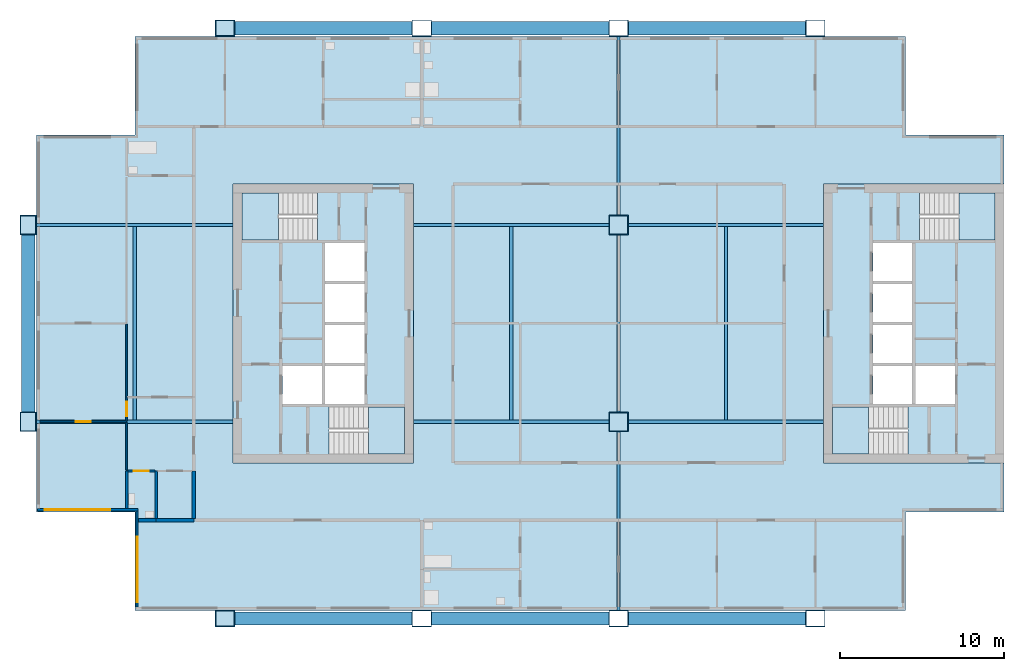
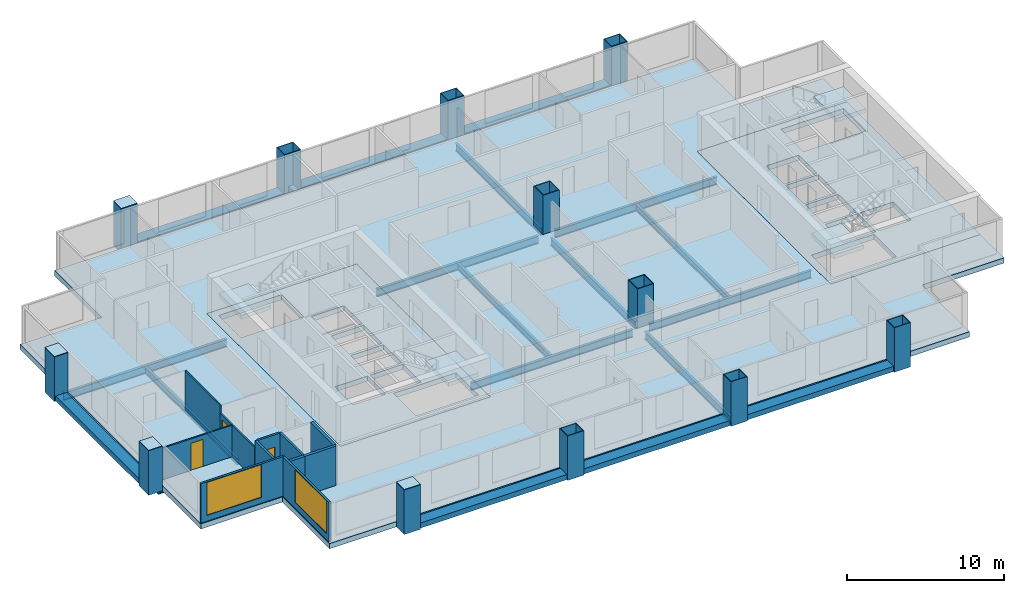
# One storey, part 1 of 9: 19 beams, 12 columns, 12 walls, 7 slabs, 4 plates, 3 doors, 2 windows, 5 openings, 4 elements without a shape of their own.
"""IFC4 building model written with IfcOpenShell, lengths in metres."""

from ifc_helpers import new_model, si_unit, direction, frame, frame_2d, origin, origin_2d, place, context, subcontext, project, spatial, polyline, rectangle, hollow_rectangle, i_section, outline, extrude, material, layer, layer_set, material_profile, profile_set, type_object, element, fill, aggregate, save


model = new_model("IFC4")

# Units and contexts
model_context = context("Model", 3, precision=1e-05, world=origin(), true_north=direction((0.0, 1.0)))
body_context = subcontext(model_context, "Body", "Model", "MODEL_VIEW")
ifc_project = project(units=[si_unit("LENGTHUNIT", "METRE"), si_unit("AREAUNIT", "SQUARE_METRE"), si_unit("VOLUMEUNIT", "CUBIC_METRE"), si_unit("PLANEANGLEUNIT", "RADIAN"), si_unit("MASSUNIT", "GRAM", prefix="KILO")], contexts=[model_context])

# Site, building, storey
site_placement = place(None, origin())
site = spatial("IfcSite", under=ifc_project, at=site_placement, CompositionType="ELEMENT")
building_placement = place(site_placement, origin())
building = spatial("IfcBuilding", under=site, at=building_placement, Name="Kitamizu Gate Tower and Museum", CompositionType="ELEMENT")
storey_placement = place(building_placement, frame((0.0, 0.0, 210.0)))
storey = spatial("IfcBuildingStorey", under=building, at=storey_placement, Name="L56", CompositionType="ELEMENT", Elevation=210.0)

# Columns
ifc_material_1 = material(Name="Steel SM490A bronze coated", Category="steel")
ifc_material_profile_1 = material_profile(ifc_material_1, hollow_rectangle(XDim=1.199951171875, YDim=1.0, WallThickness=0.044921875, at=origin_2d()), Name="BOX 1200x1000x45")
ifc_profile_set_1 = profile_set([ifc_material_profile_1], Name="Steel SM490A bronze coated")
column_type_1 = type_object("IfcColumnType", Name="Exoskeleton column XC7 BOX 1200x1000x45", PredefinedType="COLUMN", material=ifc_profile_set_1)
for number, where, z_axis, x_axis, name in (
    (1, (0.0, 24.0, -0.39990234375), (0.0, 0.0, 1.0), (0.0, 1.0, 0.0), "Column XC7 1C L56"),
    (2, (0.0, 36.0, -0.39990234375), (0.0, 0.0, 1.0), (0.0, 1.0, 0.0), "Column XC7 1D L56"),
    (3, (12.0, 12.0, -0.39990234375), (0.0, 0.0, 1.0), (1.0, 0.0, 0.0), "Column XC7 2B L56"),
    (4, (12.0, 48.0, -0.39990234375), (0.0, 0.0, 1.0), (1.0, 0.0, 0.0), "Column XC7 2E L56"),
    (5, (24.0, 12.0, -0.39990234375), (0.0, 0.0, 1.0), (1.0, 0.0, 0.0), "Column XC7 3B L56"),
    (6, (24.0, 48.0, -0.39990234375), (0.0, 0.0, 1.0), (1.0, 0.0, 0.0), "Column XC7 3E L56"),
    (7, (36.0, 12.0, -0.39990234375), (0.0, 0.0, 1.0), (1.0, 0.0, 0.0), "Column XC7 4B L56"),
    (8, (36.0, 48.0, -0.39990234375), (0.0, 0.0, 1.0), (1.0, 0.0, 0.0), "Column XC7 4E L56"),
    (9, (48.0, 12.0, -0.39990234375), (0.0, 0.0, 1.0), (1.0, 0.0, 0.0), "Column XC7 5B L56"),
    (10, (48.0, 48.0, -0.39990234375), (0.0, 0.0, 1.0), (1.0, 0.0, 0.0), "Column XC7 5E L56"),
):
    element("IfcColumn", number, at=place(storey_placement, frame(where, z_axis=z_axis, x_axis=x_axis)), inside=storey, type_object=column_type_1, Name=name, PredefinedType="COLUMN", context=body_context, shape_type="SweptSolid", body=[
        extrude(hollow_rectangle(XDim=1.199951171875, YDim=1.0, WallThickness=0.044921875, at=origin_2d()), origin(), (0.0, 0.0, 1.0), 3.449951171875),
    ])
ifc_material_2 = material(Name="Steel SM490A", Category="steel")
ifc_material_profile_2 = material_profile(ifc_material_2, hollow_rectangle(XDim=1.199951171875, YDim=1.199951171875, WallThickness=0.050048828125, at=origin_2d()), Name="BOX 1200x1200x50")
ifc_profile_set_2 = profile_set([ifc_material_profile_2], Name="Steel SM490A")
column_type_2 = type_object("IfcColumnType", Name="Interior column IC4 BOX 1200x1200x50", PredefinedType="COLUMN", material=ifc_profile_set_2)
for number, where, z_axis, x_axis, name in (
    (11, (36.0, 24.0, 0.0), (0.0, 0.0, 1.0), (1.0, 0.0, 0.0), "Column IC4 4C L56"),
    (12, (36.0, 36.0, 0.0), (0.0, 0.0, 1.0), (1.0, 0.0, 0.0), "Column IC4 4D L56"),
):
    element("IfcColumn", number, at=place(storey_placement, frame(where, z_axis=z_axis, x_axis=x_axis)), inside=storey, type_object=column_type_2, Name=name, PredefinedType="COLUMN", context=body_context, shape_type="SweptSolid", body=[
        extrude(hollow_rectangle(XDim=1.199951171875, YDim=1.199951171875, WallThickness=0.050048828125, at=origin_2d()), origin(), (0.0, 0.0, 1.0), 3.050048828125),
    ])

# Beams
ifc_material_3 = material(Name="Steel SM490A bronze coated", Category="steel")
ifc_material_profile_3 = material_profile(ifc_material_3, hollow_rectangle(XDim=0.800048828125, YDim=0.39990234375, WallThickness=0.0400390625, at=origin_2d()), Name="BOX 800x400x40")
ifc_profile_set_3 = profile_set([ifc_material_profile_3], Name="Steel SM490A bronze coated")
beam_type_1 = type_object("IfcBeamType", Name="Exoskeleton spandrel beam SB1 BOX 800x400x40", PredefinedType="SPANDREL", material=ifc_profile_set_3)
for number, where, z_axis, x_axis, name in (
    (13, (12.60009765625, 12.0, -0.199951171875), (1.0, 0.0, 0.0), (0.0, 1.0, 0.0), "Exoskeleton spandrel beam south 12 L56"),
    (14, (24.60009765625, 12.0, -0.199951171875), (1.0, 0.0, 0.0), (0.0, 1.0, 0.0), "Exoskeleton spandrel beam south 24 L56"),
    (15, (36.60009765625, 12.0, -0.199951171875), (1.0, 0.0, 0.0), (0.0, 1.0, 0.0), "Exoskeleton spandrel beam south 36 L56"),
    (16, (12.60009765625, 48.0, -0.199951171875), (1.0, 0.0, 0.0), (0.0, 1.0, 0.0), "Exoskeleton spandrel beam north 12 L56"),
    (17, (24.60009765625, 48.0, -0.199951171875), (1.0, 0.0, 0.0), (0.0, 1.0, 0.0), "Exoskeleton spandrel beam north 24 L56"),
    (18, (36.60009765625, 48.0, -0.199951171875), (1.0, 0.0, 0.0), (0.0, 1.0, 0.0), "Exoskeleton spandrel beam north 36 L56"),
    (19, (0.0, 24.60009765625, -0.199951171875), (0.0, 1.0, 0.0), (-1.0, 0.0, 0.0), "Exoskeleton spandrel beam west 24 L56"),
):
    element("IfcBeam", number, at=place(storey_placement, frame(where, z_axis=z_axis, x_axis=x_axis)), inside=storey, type_object=beam_type_1, Name=name, PredefinedType="SPANDREL", context=body_context, shape_type="SweptSolid", body=[
        extrude(hollow_rectangle(XDim=0.800048828125, YDim=0.39990234375, WallThickness=0.0400390625, at=origin_2d()), origin(), (0.0, 0.0, 1.0), 10.7998046875),
    ])
ifc_material_4 = material(Name="Steel SM490A", Category="steel")
ifc_material_profile_4 = material_profile(ifc_material_4, i_section(OverallWidth=0.199951171875, OverallDepth=0.5, WebThickness=0.010009765625, FlangeThickness=0.01611328125, FilletRadius=0.02001953125, at=origin_2d()), Name="H-500x200x10x16")
ifc_profile_set_4 = profile_set([ifc_material_profile_4], Name="Steel SM490A")
beam_type_2 = type_object("IfcBeamType", Name="Floor beam FB1 H 500x200x10x16", PredefinedType="BEAM", material=ifc_profile_set_4)
for number, where, z_axis, x_axis, name in (
    (20, (6.5, 24.10009765625, -0.64990234375), (0.0, 1.0, 0.0), (-1.0, 0.0, 0.0), "Floor beam FB1 L56-1"),
    (21, (29.449951171875, 24.10009765625, -0.64990234375), (0.0, 1.0, 0.0), (-1.0, 0.0, 0.0), "Floor beam FB1 L56-2"),
    (22, (42.550048828125, 24.10009765625, -0.64990234375), (0.0, 1.0, 0.0), (-1.0, 0.0, 0.0), "Floor beam FB1 L56-3"),
):
    element("IfcBeam", number, at=place(storey_placement, frame(where, z_axis=z_axis, x_axis=x_axis)), inside=storey, type_object=beam_type_2, Name=name, PredefinedType="BEAM", context=body_context, shape_type="SweptSolid", body=[
        extrude(i_section(OverallWidth=0.199951171875, OverallDepth=0.5, WebThickness=0.010009765625, FlangeThickness=0.01611328125, FilletRadius=0.02001953125, at=origin_2d()), origin(), (0.0, 0.0, 1.0), 11.7998046875),
    ])
ifc_material_5 = material(Name="Steel SM490A", Category="steel")
ifc_material_profile_5 = material_profile(ifc_material_5, i_section(OverallWidth=0.199951171875, OverallDepth=0.60009765625, WebThickness=0.010986328125, FlangeThickness=0.01708984375, FilletRadius=0.02197265625, at=origin_2d()), Name="H-600x200x11x17")
ifc_profile_set_5 = profile_set([ifc_material_profile_5], Name="Steel SM490A")
beam_type_3 = type_object("IfcBeamType", Name="Floor girder FG1 H 600x200x11x17", PredefinedType="BEAM", material=ifc_profile_set_5)
beam_1_placement = place(storey_placement, frame((36.0, 12.5, -0.699951171875), z_axis=(0.0, 1.0, 0.0), x_axis=(-1.0, 0.0, 0.0)))
element("IfcBeam", 23, at=beam_1_placement, inside=storey, type_object=beam_type_3, Name="Floor girder FG1 x36 L56", PredefinedType="BEAM", context=body_context, shape_type="SweptSolid", body=[
    extrude(i_section(OverallWidth=0.199951171875, OverallDepth=0.60009765625, WebThickness=0.010986328125, FlangeThickness=0.01708984375, FilletRadius=0.02197265625, at=origin_2d()), origin(), (0.0, 0.0, 1.0), 10.89990234375),
])
beam_2_placement = place(storey_placement, frame((36.0, 24.60009765625, -0.699951171875), z_axis=(0.0, 1.0, 0.0), x_axis=(-1.0, 0.0, 0.0)))
element("IfcBeam", 24, at=beam_2_placement, inside=storey, type_object=beam_type_3, Name="Floor girder FG1 x36 L56", PredefinedType="BEAM", context=body_context, shape_type="SweptSolid", body=[
    extrude(i_section(OverallWidth=0.199951171875, OverallDepth=0.60009765625, WebThickness=0.010986328125, FlangeThickness=0.01708984375, FilletRadius=0.02197265625, at=origin_2d()), origin(), (0.0, 0.0, 1.0), 10.7998046875),
])
beam_3_placement = place(storey_placement, frame((36.0, 36.60009765625, -0.699951171875), z_axis=(0.0, 1.0, 0.0), x_axis=(-1.0, 0.0, 0.0)))
element("IfcBeam", 25, at=beam_3_placement, inside=storey, type_object=beam_type_3, Name="Floor girder FG1 x36 L56", PredefinedType="BEAM", context=body_context, shape_type="SweptSolid", body=[
    extrude(i_section(OverallWidth=0.199951171875, OverallDepth=0.60009765625, WebThickness=0.010986328125, FlangeThickness=0.01708984375, FilletRadius=0.02197265625, at=origin_2d()), origin(), (0.0, 0.0, 1.0), 10.89990234375),
])
beam_4_placement = place(storey_placement, frame((0.5, 24.0, -0.699951171875), z_axis=(1.0, 0.0, 0.0), x_axis=(0.0, 1.0, 0.0)))
element("IfcBeam", 26, at=beam_4_placement, inside=storey, type_object=beam_type_3, Name="Floor girder FG1 y24 L56", PredefinedType="BEAM", context=body_context, shape_type="SweptSolid", body=[
    extrude(i_section(OverallWidth=0.199951171875, OverallDepth=0.60009765625, WebThickness=0.010986328125, FlangeThickness=0.01708984375, FilletRadius=0.02197265625, at=origin_2d()), origin(), (0.0, 0.0, 1.0), 12.0),
])
for number, where, z_axis, x_axis, name in (
    (27, (23.5, 24.0, -0.699951171875), (1.0, 0.0, 0.0), (0.0, 1.0, 0.0), "Floor girder FG1 y24 L56"),
    (28, (36.60009765625, 24.0, -0.699951171875), (1.0, 0.0, 0.0), (0.0, 1.0, 0.0), "Floor girder FG1 y24 L56"),
):
    element("IfcBeam", number, at=place(storey_placement, frame(where, z_axis=z_axis, x_axis=x_axis)), inside=storey, type_object=beam_type_3, Name=name, PredefinedType="BEAM", context=body_context, shape_type="SweptSolid", body=[
        extrude(i_section(OverallWidth=0.199951171875, OverallDepth=0.60009765625, WebThickness=0.010986328125, FlangeThickness=0.01708984375, FilletRadius=0.02197265625, at=origin_2d()), origin(), (0.0, 0.0, 1.0), 11.89990234375),
    ])
beam_5_placement = place(storey_placement, frame((0.5, 36.0, -0.699951171875), z_axis=(1.0, 0.0, 0.0), x_axis=(0.0, 1.0, 0.0)))
element("IfcBeam", 29, at=beam_5_placement, inside=storey, type_object=beam_type_3, Name="Floor girder FG1 y36 L56", PredefinedType="BEAM", context=body_context, shape_type="SweptSolid", body=[
    extrude(i_section(OverallWidth=0.199951171875, OverallDepth=0.60009765625, WebThickness=0.010986328125, FlangeThickness=0.01708984375, FilletRadius=0.02197265625, at=origin_2d()), origin(), (0.0, 0.0, 1.0), 12.0),
])
for number, where, z_axis, x_axis, name in (
    (30, (23.5, 36.0, -0.699951171875), (1.0, 0.0, 0.0), (0.0, 1.0, 0.0), "Floor girder FG1 y36 L56"),
    (31, (36.60009765625, 36.0, -0.699951171875), (1.0, 0.0, 0.0), (0.0, 1.0, 0.0), "Floor girder FG1 y36 L56"),
):
    element("IfcBeam", number, at=place(storey_placement, frame(where, z_axis=z_axis, x_axis=x_axis)), inside=storey, type_object=beam_type_3, Name=name, PredefinedType="BEAM", context=body_context, shape_type="SweptSolid", body=[
        extrude(i_section(OverallWidth=0.199951171875, OverallDepth=0.60009765625, WebThickness=0.010986328125, FlangeThickness=0.01708984375, FilletRadius=0.02197265625, at=origin_2d()), origin(), (0.0, 0.0, 1.0), 11.89990234375),
    ])

# Slabs
ifc_material_6 = material(Name="Concrete Fc36", Category="concrete")
ifc_layer_1 = layer(ifc_material_6, 0.39990234375)
ifc_layer_set_1 = layer_set([ifc_layer_1], Name="Concrete Fc36")
slab_type_1 = type_object("IfcSlabType", Name="Core floor slab 400", PredefinedType="FLOOR", material=ifc_layer_set_1)
slab_1_placement = place(storey_placement, frame((0.0, 0.0, -0.39990234375)))
element("IfcSlab", 32, at=slab_1_placement, inside=storey, type_object=slab_type_1, Name="Core floor slab W", PredefinedType="FLOOR", context=body_context, shape_type="SweptSolid", body=[
    extrude(outline(polyline([(12.5, 21.5), (23.5, 21.5), (23.5, 38.5), (12.5, 38.5), (12.5, 21.5)]), holes=[polyline([(15.5, 25.10009765625), (17.89990234375, 25.10009765625), (17.89990234375, 27.39990234375), (15.5, 27.39990234375), (15.5, 25.10009765625)]), polyline([(18.10009765625, 25.10009765625), (20.5, 25.10009765625), (20.5, 27.39990234375), (18.10009765625, 27.39990234375), (18.10009765625, 25.10009765625)]), polyline([(18.10009765625, 27.60009765625), (20.5, 27.60009765625), (20.5, 29.89990234375), (18.10009765625, 29.89990234375), (18.10009765625, 27.60009765625)]), polyline([(18.10009765625, 30.10009765625), (20.5, 30.10009765625), (20.5, 32.39990234375), (18.10009765625, 32.39990234375), (18.10009765625, 30.10009765625)]), polyline([(18.10009765625, 32.60009765625), (20.5, 32.60009765625), (20.5, 34.89990234375), (18.10009765625, 34.89990234375), (18.10009765625, 32.60009765625)]), polyline([(18.3505859375, 22.050048828125), (22.949951171875, 22.050048828125), (22.949951171875, 24.89990234375), (18.3505859375, 24.89990234375), (18.3505859375, 22.050048828125)]), polyline([(13.050048828125, 35.10009765625), (17.6494140625, 35.10009765625), (17.6494140625, 37.949951171875), (13.050048828125, 37.949951171875), (13.050048828125, 35.10009765625)])]), origin(), (0.0, 0.0, 1.0), 0.39990234375),
])
slab_2_placement = place(storey_placement, frame((0.0, 0.0, -0.39990234375)))
element("IfcSlab", 33, at=slab_2_placement, inside=storey, type_object=slab_type_1, Name="Core floor slab E", PredefinedType="FLOOR", context=body_context, shape_type="SweptSolid", body=[
    extrude(outline(polyline([(48.5, 21.5), (59.5, 21.5), (59.5, 38.5), (48.5, 38.5), (48.5, 21.5)]), holes=[polyline([(54.10009765625, 25.10009765625), (56.5, 25.10009765625), (56.5, 27.39990234375), (54.10009765625, 27.39990234375), (54.10009765625, 25.10009765625)]), polyline([(51.5, 25.10009765625), (53.89990234375, 25.10009765625), (53.89990234375, 27.39990234375), (51.5, 27.39990234375), (51.5, 25.10009765625)]), polyline([(51.5, 27.60009765625), (53.89990234375, 27.60009765625), (53.89990234375, 29.89990234375), (51.5, 29.89990234375), (51.5, 27.60009765625)]), polyline([(51.5, 30.10009765625), (53.89990234375, 30.10009765625), (53.89990234375, 32.39990234375), (51.5, 32.39990234375), (51.5, 30.10009765625)]), polyline([(51.5, 32.60009765625), (53.89990234375, 32.60009765625), (53.89990234375, 34.89990234375), (51.5, 34.89990234375), (51.5, 32.60009765625)]), polyline([(49.050048828125, 22.050048828125), (53.6494140625, 22.050048828125), (53.6494140625, 24.89990234375), (49.050048828125, 24.89990234375), (49.050048828125, 22.050048828125)]), polyline([(54.3505859375, 35.10009765625), (58.949951171875, 35.10009765625), (58.949951171875, 37.949951171875), (54.3505859375, 37.949951171875), (54.3505859375, 35.10009765625)])]), origin(), (0.0, 0.0, 1.0), 0.39990234375),
])

# Plates
ifc_material_7 = material(Name="Steel SM490A bronze coated", Category="steel")
ifc_layer_2 = layer(ifc_material_7, 0.044921875)
ifc_layer_set_2 = layer_set([ifc_layer_2], Name="Steel SM490A bronze coated")
plate_type = type_object("IfcPlateType", Name="Exoskeleton column cap plate XC7 45", PredefinedType="USERDEFINED", material=ifc_layer_set_2)
for number, where, z_axis, x_axis, name in (
    (34, (0.0, 24.0, 3.050048828125), (0.0, 0.0, 1.0), (0.0, 1.0, 0.0), "Exoskeleton column cap plate XC7 1C L56"),
    (35, (0.0, 36.0, 3.050048828125), (0.0, 0.0, 1.0), (0.0, 1.0, 0.0), "Exoskeleton column cap plate XC7 1D L56"),
    (36, (12.0, 12.0, 3.050048828125), (0.0, 0.0, 1.0), (1.0, 0.0, 0.0), "Exoskeleton column cap plate XC7 2B L56"),
    (37, (12.0, 48.0, 3.050048828125), (0.0, 0.0, 1.0), (1.0, 0.0, 0.0), "Exoskeleton column cap plate XC7 2E L56"),
):
    element("IfcPlate", number, at=place(storey_placement, frame(where, z_axis=z_axis, x_axis=x_axis)), inside=storey, type_object=plate_type, Name=name, ObjectType="COLUMN CAP PLATE", PredefinedType="USERDEFINED", context=body_context, shape_type="SweptSolid", body=[
        extrude(rectangle(XDim=1.199951171875, YDim=1.0, at=origin_2d()), origin(), (0.0, 0.0, 1.0), 0.044921875),
    ])

# Slab
ifc_material_8 = material(Name="Concrete Fc36", Category="concrete")
ifc_layer_3 = layer(ifc_material_8, 0.39990234375)
ifc_layer_set_3 = layer_set([ifc_layer_3], Name="Concrete Fc36")
slab_type_2 = type_object("IfcSlabType", Name="Post tensioned flat slab 400", PredefinedType="FLOOR", material=ifc_layer_set_3)
slab_3_placement = place(storey_placement, frame((0.0, 0.0, -0.39990234375)))
element("IfcSlab", 38, at=slab_3_placement, inside=storey, type_object=slab_type_2, Name="Floor slab L56-1", PredefinedType="FLOOR", context=body_context, shape_type="SweptSolid", body=[
    extrude(outline(polyline([(0.5, 18.5), (0.5, 41.5), (6.5, 41.5), (6.5, 47.5), (53.5, 47.5), (53.5, 41.5), (59.5, 41.5), (59.5, 38.5), (48.5, 38.5), (48.5, 21.5), (59.5, 21.5), (59.5, 18.5), (53.5, 18.5), (53.5, 12.5), (6.5, 12.5), (6.5, 18.5), (0.5, 18.5)]), holes=[polyline([(12.5, 38.5), (12.5, 21.5), (23.5, 21.5), (23.5, 38.5), (12.5, 38.5)])]), origin(), (0.0, 0.0, 1.0), 0.39990234375),
])

# Stair, slab
ifc_material_9 = material(Name="Concrete Fc42", Category="concrete")
stair_type = type_object("IfcStairType", Name="Exit stair 1325 wide 192 rise 300 going", PredefinedType="HALF_TURN_STAIR", material=ifc_material_9)
stair_1_placement = place(storey_placement, origin())
stair_1 = element("IfcStair", 39, at=stair_1_placement, inside=storey, type_object=stair_type, Name="Exit stair ST1", PredefinedType="HALF_TURN_STAIR")
ifc_material_10 = material(Name="Concrete Fc42", Category="concrete")
ifc_layer_4 = layer(ifc_material_10, 0.300048828125)
ifc_layer_set_4 = layer_set([ifc_layer_4], Name="Concrete Fc42")
slab_type_3 = type_object("IfcSlabType", Name="Stair landing 300", PredefinedType="LANDING", material=ifc_layer_set_4)
slab_4_placement = place(storey_placement, frame((0.0, 0.0, 1.425048828125)))
slab_4 = element("IfcSlab", 40, at=slab_4_placement, type_object=slab_type_3, Name="ST1 landing 1", PredefinedType="LANDING", context=body_context, shape_type="SweptSolid", body=[
    extrude(outline(polyline([(20.75, 22.050048828125), (22.949951171875, 22.050048828125), (22.949951171875, 24.89990234375), (20.75, 24.89990234375), (20.75, 22.050048828125)])), origin(), (0.0, 0.0, 1.0), 0.300048828125),
])
aggregate(stair_1, [slab_4])

stair_2_placement = place(storey_placement, origin())
stair_2 = element("IfcStair", 41, at=stair_2_placement, inside=storey, type_object=stair_type, Name="Exit stair ST2", PredefinedType="HALF_TURN_STAIR")
slab_5_placement = place(storey_placement, frame((0.0, 0.0, 1.425048828125)))
slab_5 = element("IfcSlab", 42, at=slab_5_placement, type_object=slab_type_3, Name="ST2 landing 1", PredefinedType="LANDING", context=body_context, shape_type="SweptSolid", body=[
    extrude(outline(polyline([(13.050048828125, 35.10009765625), (15.25, 35.10009765625), (15.25, 37.949951171875), (13.050048828125, 37.949951171875), (13.050048828125, 35.10009765625)])), origin(), (0.0, 0.0, 1.0), 0.300048828125),
])
aggregate(stair_2, [slab_5])

stair_3_placement = place(storey_placement, origin())
stair_3 = element("IfcStair", 43, at=stair_3_placement, inside=storey, type_object=stair_type, Name="Exit stair ST3", PredefinedType="HALF_TURN_STAIR")
slab_6_placement = place(storey_placement, frame((0.0, 0.0, 1.425048828125)))
slab_6 = element("IfcSlab", 44, at=slab_6_placement, type_object=slab_type_3, Name="ST3 landing 1", PredefinedType="LANDING", context=body_context, shape_type="SweptSolid", body=[
    extrude(outline(polyline([(49.050048828125, 22.050048828125), (51.25, 22.050048828125), (51.25, 24.89990234375), (49.050048828125, 24.89990234375), (49.050048828125, 22.050048828125)])), origin(), (0.0, 0.0, 1.0), 0.300048828125),
])
aggregate(stair_3, [slab_6])

stair_4_placement = place(storey_placement, origin())
stair_4 = element("IfcStair", 45, at=stair_4_placement, inside=storey, type_object=stair_type, Name="Exit stair ST4", PredefinedType="HALF_TURN_STAIR")
slab_7_placement = place(storey_placement, frame((0.0, 0.0, 1.425048828125)))
slab_7 = element("IfcSlab", 46, at=slab_7_placement, type_object=slab_type_3, Name="ST4 landing 1", PredefinedType="LANDING", context=body_context, shape_type="SweptSolid", body=[
    extrude(outline(polyline([(56.75, 35.10009765625), (58.949951171875, 35.10009765625), (58.949951171875, 37.949951171875), (56.75, 37.949951171875), (56.75, 35.10009765625)])), origin(), (0.0, 0.0, 1.0), 0.300048828125),
])
aggregate(stair_4, [slab_7])

# Wall, opening, door
ifc_material_11 = material(Name="Gypsum board on galvanised stud")
ifc_layer_5 = layer(ifc_material_11, 0.10009765625)
ifc_layer_set_5 = layer_set([ifc_layer_5], Name="Gypsum board on galvanised stud")
wall_type_1 = type_object("IfcWallType", Name="Partition 100 NOT RATED", PredefinedType="PARTITIONING", material=ifc_layer_set_5)
wall_1_placement = place(storey_placement, frame((6.0, 24.0, 0.0), z_axis=(0.0, 0.0, 1.0), x_axis=(-1.0, 0.0, 0.0)))
wall_1 = element("IfcWall", 47, at=wall_1_placement, inside=storey, type_object=wall_type_1, Name="Partition L56-035", PredefinedType="PARTITIONING", context=body_context, shape_type="SweptSolid", body=[
    extrude(rectangle(XDim=5.280029296875, YDim=0.10009765625, at=frame_2d((2.64013671875, 0.0))), origin(), (0.0, 0.0, 1.0), 2.449951171875),
])
opening_1_placement = place(wall_1_placement, frame((2.18994140625, 0.0, 0.0)))
opening_1 = element("IfcOpeningElement", 48, at=opening_1_placement, cuts=wall_1, Name="Opening L56-021", PredefinedType="OPENING", context=body_context, shape_type="SweptSolid", body=[
    extrude(rectangle(XDim=0.89990234375, YDim=2.10009765625, at=frame_2d((0.449951171875, 1.050048828125))), frame((0.0, 0.06005859375, 0.0), z_axis=(0.0, -1.0, 0.0), x_axis=(1.0, 0.0, 0.0)), (0.0, 0.0, 1.0), 0.1201171875),
])
ifc_material_12 = material(Name="Timber door set", Category="wood")
door_type_1 = type_object("IfcDoorType", Name="Room door 900", OperationType="NOTDEFINED", PredefinedType="DOOR", material=ifc_material_12)
door_1_placement = place(opening_1_placement, origin())
door_1 = element("IfcDoor", 49, at=door_1_placement, inside=storey, type_object=door_type_1, Name="Door L56-021", OperationType="SINGLE_SWING_LEFT", OverallHeight=2.10009765625, OverallWidth=0.89990234375, PredefinedType="DOOR", context=body_context, shape_type="SweptSolid", body=[
    extrude(rectangle(XDim=0.89990234375, YDim=2.10009765625, at=frame_2d((0.449951171875, 1.050048828125))), frame((0.0, 0.02490234375, 0.0), z_axis=(0.0, -1.0, 0.0), x_axis=(1.0, 0.0, 0.0)), (0.0, 0.0, 1.0), 0.050048828125),
])
fill(opening_1, door_1)

# Wall
wall_2_placement = place(storey_placement, frame((6.0, 21.074951171875, 0.0), z_axis=(0.0, 0.0, 1.0), x_axis=(0.0, 1.0, 0.0)))
element("IfcWall", 50, at=wall_2_placement, inside=storey, type_object=wall_type_1, Name="Partition L56-037", PredefinedType="PARTITIONING", context=body_context, shape_type="SweptSolid", body=[
    extrude(rectangle(XDim=2.875, YDim=0.10009765625, at=frame_2d((1.4375, 0.0))), origin(), (0.0, 0.0, 1.0), 2.449951171875),
])

# Wall, opening, door
wall_3_placement = place(storey_placement, frame((6.0, 24.050048828125, 0.0), z_axis=(0.0, 0.0, 1.0), x_axis=(0.0, 1.0, 0.0)))
wall_3 = element("IfcWall", 51, at=wall_3_placement, inside=storey, type_object=wall_type_1, Name="Partition L56-039", PredefinedType="PARTITIONING", context=body_context, shape_type="SweptSolid", body=[
    extrude(rectangle(XDim=1.449951171875, YDim=0.10009765625, at=frame_2d((0.72509765625, 0.0))), origin(), (0.0, 0.0, 1.0), 2.449951171875),
])
opening_2_placement = place(wall_3_placement, frame((0.27490234375, 0.0, 0.0)))
opening_2 = element("IfcOpeningElement", 52, at=opening_2_placement, cuts=wall_3, Name="Opening L56-018", PredefinedType="OPENING", context=body_context, shape_type="SweptSolid", body=[
    extrude(rectangle(XDim=0.89990234375, YDim=2.10009765625, at=frame_2d((0.449951171875, 1.050048828125))), frame((0.0, 0.06005859375, 0.0), z_axis=(0.0, -1.0, 0.0), x_axis=(1.0, 0.0, 0.0)), (0.0, 0.0, 1.0), 0.1201171875),
])
door_2_placement = place(opening_2_placement, origin())
door_2 = element("IfcDoor", 53, at=door_2_placement, inside=storey, type_object=door_type_1, Name="Door L56-018", OperationType="SINGLE_SWING_RIGHT", OverallHeight=2.10009765625, OverallWidth=0.89990234375, PredefinedType="DOOR", context=body_context, shape_type="SweptSolid", body=[
    extrude(rectangle(XDim=0.89990234375, YDim=2.10009765625, at=frame_2d((0.449951171875, 1.050048828125))), frame((0.0, 0.02490234375, 0.0), z_axis=(0.0, -1.0, 0.0), x_axis=(1.0, 0.0, 0.0)), (0.0, 0.0, 1.0), 0.050048828125),
])
fill(opening_2, door_2)

# Walls
wall_4_placement = place(storey_placement, frame((6.0, 25.5, 0.0), z_axis=(0.0, 0.0, 1.0), x_axis=(0.0, 1.0, 0.0)))
element("IfcWall", 54, at=wall_4_placement, inside=storey, type_object=wall_type_1, Name="Partition L56-040", PredefinedType="PARTITIONING", context=body_context, shape_type="SweptSolid", body=[
    extrude(rectangle(XDim=4.449951171875, YDim=0.10009765625, at=frame_2d((2.22509765625, 0.0))), origin(), (0.0, 0.0, 1.0), 3.050048828125),
])
ifc_material_13 = material(Name="Gypsum board on galvanised stud")
ifc_layer_6 = layer(ifc_material_13, 0.14990234375)
ifc_layer_set_6 = layer_set([ifc_layer_6], Name="Gypsum board on galvanised stud")
wall_type_2 = type_object("IfcWallType", Name="Partition 150", PredefinedType="PARTITIONING", material=ifc_layer_set_6)
wall_5_placement = place(storey_placement, frame((6.0, 18.719970703125, 0.0), z_axis=(0.0, 0.0, 1.0), x_axis=(0.0, 1.0, 0.0)))
element("IfcWall", 55, at=wall_5_placement, inside=storey, type_object=wall_type_2, Name="Partition L56-036", PredefinedType="PARTITIONING", context=body_context, shape_type="SweptSolid", body=[
    extrude(rectangle(XDim=2.280029296875, YDim=0.14990234375, at=frame_2d((1.14013671875, 0.0))), origin(), (0.0, 0.0, 1.0), 3.050048828125),
])
wall_6_placement = place(storey_placement, frame((7.800048828125, 18.10009765625, 0.0), z_axis=(0.0, 0.0, 1.0), x_axis=(0.0, 1.0, 0.0)))
element("IfcWall", 56, at=wall_6_placement, inside=storey, type_object=wall_type_2, Name="Partition L56-044", PredefinedType="PARTITIONING", context=body_context, shape_type="SweptSolid", body=[
    extrude(rectangle(XDim=2.89990234375, YDim=0.14990234375, at=frame_2d((1.449951171875, 0.0))), origin(), (0.0, 0.0, 1.0), 3.050048828125),
])

# Wall, opening, door
wall_7_placement = place(storey_placement, frame((7.72509765625, 21.0, 0.0), z_axis=(0.0, 0.0, 1.0), x_axis=(-1.0, 0.0, 0.0)))
wall_7 = element("IfcWall", 57, at=wall_7_placement, inside=storey, type_object=wall_type_2, Name="Partition L56-045", PredefinedType="PARTITIONING", context=body_context, shape_type="SweptSolid", body=[
    extrude(rectangle(XDim=1.650146484375, YDim=0.14990234375, at=frame_2d((0.8251953125, 0.0))), origin(), (0.0, 0.0, 1.0), 3.050048828125),
])
opening_3_placement = place(wall_7_placement, frame((0.375, 0.0, 0.0)))
opening_3 = element("IfcOpeningElement", 58, at=opening_3_placement, cuts=wall_7, Name="Opening L56-022", PredefinedType="OPENING", context=body_context, shape_type="SweptSolid", body=[
    extrude(rectangle(XDim=0.89990234375, YDim=2.10009765625, at=frame_2d((0.449951171875, 1.050048828125))), frame((0.0, 0.0849609375, 0.0), z_axis=(0.0, -1.0, 0.0), x_axis=(1.0, 0.0, 0.0)), (0.0, 0.0, 1.0), 0.169921875),
])
ifc_material_14 = material(Name="Timber door set", Category="wood")
door_type_2 = type_object("IfcDoorType", Name="Bathroom door 900", OperationType="NOTDEFINED", PredefinedType="DOOR", material=ifc_material_14)
door_3_placement = place(opening_3_placement, origin())
door_3 = element("IfcDoor", 59, at=door_3_placement, inside=storey, type_object=door_type_2, Name="Bathroom door L56-022", OperationType="SINGLE_SWING_RIGHT", OverallHeight=2.10009765625, OverallWidth=0.89990234375, PredefinedType="DOOR", context=body_context, shape_type="SweptSolid", body=[
    extrude(rectangle(XDim=0.89990234375, YDim=2.10009765625, at=frame_2d((0.449951171875, 1.050048828125))), frame((0.0, 0.02490234375, 0.0), z_axis=(0.0, -1.0, 0.0), x_axis=(1.0, 0.0, 0.0)), (0.0, 0.0, 1.0), 0.050048828125),
])
fill(opening_3, door_3)

# Walls
ifc_material_15 = material(Name="Gypsum board on galvanised stud")
ifc_layer_7 = layer(ifc_material_15, 0.199951171875)
ifc_layer_set_7 = layer_set([ifc_layer_7], Name="Gypsum board on galvanised stud")
wall_type_3 = type_object("IfcWallType", Name="Partition 200", PredefinedType="PARTITIONING", material=ifc_layer_set_7)
wall_8_placement = place(storey_placement, frame((6.719970703125, 18.0, 0.0), z_axis=(0.0, 0.0, 1.0), x_axis=(1.0, 0.0, 0.0)))
element("IfcWall", 60, at=wall_8_placement, inside=storey, type_object=wall_type_3, Name="Partition L56-046", PredefinedType="PARTITIONING", context=body_context, shape_type="SweptSolid", body=[
    extrude(rectangle(XDim=1.080078125, YDim=0.199951171875, at=frame_2d((0.5400390625, 0.0))), origin(), (0.0, 0.0, 1.0), 3.050048828125),
])
wall_9_placement = place(storey_placement, frame((7.800048828125, 18.0, 0.0), z_axis=(0.0, 0.0, 1.0), x_axis=(1.0, 0.0, 0.0)))
element("IfcWall", 61, at=wall_9_placement, inside=storey, type_object=wall_type_3, Name="Partition L56-048", PredefinedType="PARTITIONING", context=body_context, shape_type="SweptSolid", body=[
    extrude(rectangle(XDim=2.300048828125, YDim=0.199951171875, at=frame_2d((1.14990234375, 0.0))), origin(), (0.0, 0.0, 1.0), 3.050048828125),
])
wall_10_placement = place(storey_placement, frame((10.10009765625, 18.10009765625, 0.0), z_axis=(0.0, 0.0, 1.0), x_axis=(0.0, 1.0, 0.0)))
element("IfcWall", 62, at=wall_10_placement, inside=storey, type_object=wall_type_3, Name="Partition L56-049", PredefinedType="PARTITIONING", context=body_context, shape_type="SweptSolid", body=[
    extrude(rectangle(XDim=2.89990234375, YDim=0.199951171875, at=frame_2d((1.449951171875, 0.0))), origin(), (0.0, 0.0, 1.0), 3.050048828125),
])

# Wall, opening, window
ifc_material_16 = material(Name="Bronze anodised aluminium frame with insulated spandrel and tinted glass", Category="aluminium")
ifc_layer_8 = layer(ifc_material_16, 0.14990234375)
ifc_layer_set_8 = layer_set([ifc_layer_8], Name="Bronze anodised aluminium frame with insulated spandrel and tinted glass")
wall_type_4 = type_object("IfcWallType", Name="WINDOW WALL 150 BRONZE FRAME EI 30", PredefinedType="ELEMENTEDWALL", material=ifc_layer_set_8)
wall_11_placement = place(storey_placement, frame((0.56005859375, 18.635009765625, 0.0), z_axis=(0.0, 0.0, 1.0), x_axis=(1.0, 0.0, 0.0)))
wall_11 = element("IfcWall", 63, at=wall_11_placement, inside=storey, type_object=wall_type_4, Name="Window wall south L56", PredefinedType="ELEMENTEDWALL", context=body_context, shape_type="SweptSolid", body=[
    extrude(rectangle(XDim=6.14990234375, YDim=0.14990234375, at=frame_2d((3.074951171875, 0.0))), origin(), (0.0, 0.0, 1.0), 3.050048828125),
])
opening_4_placement = place(wall_11_placement, frame((0.43994140625, 0.0, 0.449951171875)))
opening_4 = element("IfcOpeningElement", 64, at=opening_4_placement, cuts=wall_11, Name="Opening W16", PredefinedType="OPENING", context=body_context, shape_type="SweptSolid", body=[
    extrude(rectangle(XDim=4.0, YDim=2.550048828125, at=frame_2d((2.0, 1.27490234375))), frame((0.0, 0.0849609375, 0.0), z_axis=(0.0, -1.0, 0.0), x_axis=(1.0, 0.0, 0.0)), (0.0, 0.0, 1.0), 0.169921875),
])
ifc_material_17 = material(Name="Bronze anodised aluminium frame, tinted triple glazing", Category="aluminium")
window_type = type_object("IfcWindowType", Name="WINDOW 4000 x 2550 SILL 450", PartitioningType="SINGLE_PANEL", PredefinedType="WINDOW", material=ifc_material_17)
window_1_placement = place(opening_4_placement, origin())
window_1 = element("IfcWindow", 65, at=window_1_placement, inside=storey, type_object=window_type, Name="Window W16 L56", OverallHeight=2.550048828125, OverallWidth=4.0, PartitioningType="SINGLE_PANEL", PredefinedType="WINDOW", context=body_context, shape_type="SweptSolid", body=[
    extrude(rectangle(XDim=4.0, YDim=2.550048828125, at=frame_2d((2.0, 1.27490234375))), frame((0.0, 0.030029296875, 0.0), z_axis=(0.0, -1.0, 0.0), x_axis=(1.0, 0.0, 0.0)), (0.0, 0.0, 1.0), 0.06005859375),
])
fill(opening_4, window_1)

wall_12_placement = place(storey_placement, frame((6.635009765625, 12.7099609375, 0.0), z_axis=(0.0, 0.0, 1.0), x_axis=(0.0, 1.0, 0.0)))
wall_12 = element("IfcWall", 66, at=wall_12_placement, inside=storey, type_object=wall_type_4, Name="Window wall west L56", PredefinedType="ELEMENTEDWALL", context=body_context, shape_type="SweptSolid", body=[
    extrude(rectangle(XDim=5.85009765625, YDim=0.14990234375, at=frame_2d((2.925048828125, 0.0))), origin(), (0.0, 0.0, 1.0), 3.050048828125),
])
opening_5_placement = place(wall_12_placement, frame((0.2900390625, 0.0, 0.449951171875)))
opening_5 = element("IfcOpeningElement", 67, at=opening_5_placement, cuts=wall_12, Name="Opening W16", PredefinedType="OPENING", context=body_context, shape_type="SweptSolid", body=[
    extrude(rectangle(XDim=4.0, YDim=2.550048828125, at=frame_2d((2.0, 1.27490234375))), frame((0.0, 0.0849609375, 0.0), z_axis=(0.0, -1.0, 0.0), x_axis=(1.0, 0.0, 0.0)), (0.0, 0.0, 1.0), 0.169921875),
])
window_2_placement = place(opening_5_placement, origin())
window_2 = element("IfcWindow", 68, at=window_2_placement, inside=storey, type_object=window_type, Name="Window W16 L56", OverallHeight=2.550048828125, OverallWidth=4.0, PartitioningType="SINGLE_PANEL", PredefinedType="WINDOW", context=body_context, shape_type="SweptSolid", body=[
    extrude(rectangle(XDim=4.0, YDim=2.550048828125, at=frame_2d((2.0, 1.27490234375))), frame((0.0, 0.030029296875, 0.0), z_axis=(0.0, -1.0, 0.0), x_axis=(1.0, 0.0, 0.0)), (0.0, 0.0, 1.0), 0.06005859375),
])
fill(opening_5, window_2)

save(model, "model.ifc")
